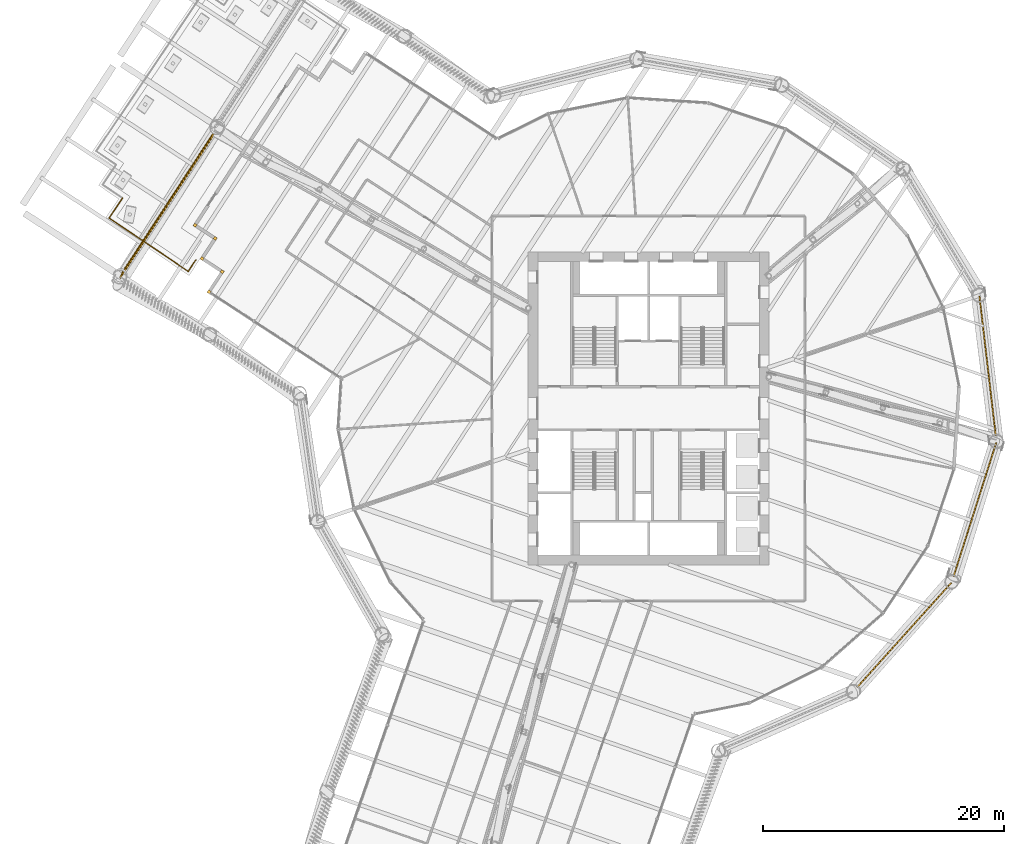
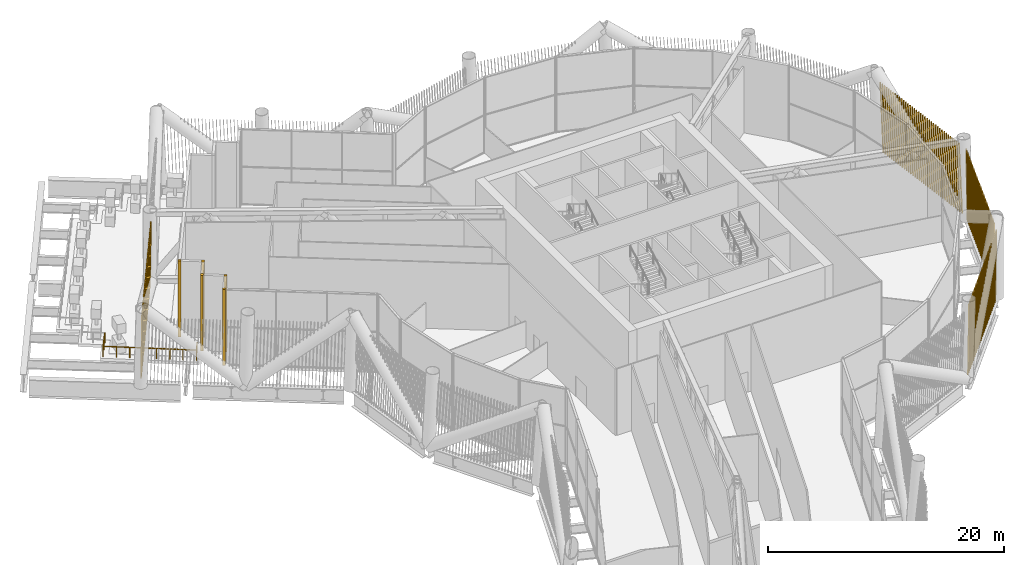
# One storey, part 59 of 63: 9 shading devices, 1 railing.
"""IFC4 building model written with IfcOpenShell, lengths in metres."""

from ifc_helpers import new_model, si_unit, direction, frame, frame_2d, origin, origin_2d, place, context, subcontext, project, spatial, rectangle, circle, composite_profile, extrude, material, type_object, element, save


model = new_model("IFC4")

# Units and contexts
model_context = context("Model", 3, precision=1e-05, world=origin(), true_north=direction((0.0, 1.0)))
body_context = subcontext(model_context, "Body", "Model", "MODEL_VIEW")
ifc_project = project(units=[si_unit("LENGTHUNIT", "METRE"), si_unit("AREAUNIT", "SQUARE_METRE"), si_unit("VOLUMEUNIT", "CUBIC_METRE"), si_unit("PLANEANGLEUNIT", "RADIAN"), si_unit("MASSUNIT", "GRAM", prefix="KILO")], contexts=[model_context])

# Site, building, storey
site_placement = place(None, origin())
site = spatial("IfcSite", under=ifc_project, at=site_placement, CompositionType="ELEMENT")
building_placement = place(site_placement, origin())
building = spatial("IfcBuilding", under=site, at=building_placement, Name="Tarsis Ring Headquarters", CompositionType="ELEMENT")
storey_placement = place(building_placement, frame((0.0, 0.0, 139.60009765625)))
storey = spatial("IfcBuildingStorey", under=building, at=storey_placement, Name="L32", CompositionType="ELEMENT", Elevation=139.60009765625)

# Railing
ifc_material_1 = material(Name="Stainless steel guard", Category="steel")
railing_type = type_object("IfcRailingType", Name="Guard rail with mesh infill 1100", PredefinedType="GUARDRAIL", material=ifc_material_1)
railing_placement = place(storey_placement, frame((-37.62451171875, 12.345703125, 0.0)))
element("IfcRailing", 1, at=railing_placement, inside=storey, type_object=railing_type, Name="Terrace guard L32-1.2", PredefinedType="GUARDRAIL", context=body_context, shape_type="SweptSolid", body=[
    extrude(circle(Radius=0.030029296875, at=origin_2d()), frame((0.0, 0.0, 1.070068359375), z_axis=(-0.546976212309, -0.837148148877, 0.0), x_axis=(0.837148148877, -0.546976212309, 0.0)), (0.0, 0.0, 1.0), 1.156005859375),
    extrude(circle(Radius=0.030029296875, at=origin_2d()), frame((-0.63232421875, -0.9677734375, 1.070068359375), z_axis=(-0.828453910342, 0.560057245681, 0.0), x_axis=(-0.560057245681, -0.828453910342, 0.0)), (0.0, 0.0, 1.0), 7.933837890625),
    extrude(circle(Radius=0.030029296875, at=origin_2d()), frame((-7.205078125, 3.4755859375, 1.070068359375), z_axis=(0.560040864527, 0.828464984208, 0.0), x_axis=(-0.828464984208, 0.560040864527, 0.0)), (0.0, 0.0, 1.0), 2.0),
    extrude(circle(Radius=0.02490234375, at=origin_2d()), origin(), (0.0, 0.0, 1.0), 1.0400390625),
    extrude(circle(Radius=0.02490234375, at=origin_2d()), frame((-0.63232421875, -0.9677734375, 0.0)), (0.0, 0.0, 1.0), 1.0400390625),
    extrude(circle(Radius=0.02490234375, at=origin_2d()), frame((-1.5712890625, -0.3330078125, 0.0)), (0.0, 0.0, 1.0), 1.0400390625),
    extrude(circle(Radius=0.02490234375, at=origin_2d()), frame((-2.51025390625, 0.3017578125, 0.0)), (0.0, 0.0, 1.0), 1.0400390625),
    extrude(circle(Radius=0.02490234375, at=origin_2d()), frame((-3.44921875, 0.9365234375, 0.0)), (0.0, 0.0, 1.0), 1.0400390625),
    extrude(circle(Radius=0.02490234375, at=origin_2d()), frame((-4.38818359375, 1.5712890625, 0.0)), (0.0, 0.0, 1.0), 1.0400390625),
    extrude(circle(Radius=0.02490234375, at=origin_2d()), frame((-5.3271484375, 2.2060546875, 0.0)), (0.0, 0.0, 1.0), 1.0400390625),
    extrude(circle(Radius=0.02490234375, at=origin_2d()), frame((-6.26611328125, 2.8408203125, 0.0)), (0.0, 0.0, 1.0), 1.0400390625),
    extrude(circle(Radius=0.02490234375, at=origin_2d()), frame((-7.205078125, 3.4755859375, 0.0)), (0.0, 0.0, 1.0), 1.0400390625),
    extrude(circle(Radius=0.02490234375, at=origin_2d()), frame((-6.64501953125, 4.30419921875, 0.0)), (0.0, 0.0, 1.0), 1.0400390625),
    extrude(circle(Radius=0.02490234375, at=origin_2d()), frame((-6.0849609375, 5.132568359375, 0.0)), (0.0, 0.0, 1.0), 1.0400390625),
])

# Shading devices
ifc_material_2 = material(Name="Terracotta baguette", Category="masonry")
shading_device_type_1 = type_object("IfcShadingDeviceType", Name="Terracotta baguette screen", PredefinedType="USERDEFINED", material=ifc_material_2)
shading_device_1_placement = place(storey_placement, frame((17.33203125, -23.18505859375, 0.0), z_axis=(0.0, 0.0, 1.0), x_axis=(0.669343461747, 0.742962561042, 0.0)))
element("IfcShadingDevice", 2, at=shading_device_1_placement, inside=storey, type_object=shading_device_type_1, Name="Baguette screen L32-08", ObjectType="Terracotta baguette screen", PredefinedType="USERDEFINED", context=body_context, shape_type="SweptSolid", body=[
    extrude(composite_profile([rectangle(XDim=0.06005859375, YDim=0.1201171875, at=frame_2d((0.030029296875, 0.0))), rectangle(XDim=0.06005859375, YDim=0.1201171875, at=frame_2d((0.33251953125, 0.0))), rectangle(XDim=0.06005859375, YDim=0.1201171875, at=frame_2d((0.634765625, 0.0))), rectangle(XDim=0.06005859375, YDim=0.1201171875, at=frame_2d((0.937255859375, 0.0))), rectangle(XDim=0.06005859375, YDim=0.1201171875, at=frame_2d((1.239501953125, 0.0))), rectangle(XDim=0.06005859375, YDim=0.1201171875, at=frame_2d((1.5419921875, 0.0))), rectangle(XDim=0.06005859375, YDim=0.1201171875, at=frame_2d((1.844482421875, 0.0))), rectangle(XDim=0.06005859375, YDim=0.1201171875, at=frame_2d((2.146728515625, 0.0))), rectangle(XDim=0.06005859375, YDim=0.1201171875, at=frame_2d((2.44921875, 0.0))), rectangle(XDim=0.06005859375, YDim=0.1201171875, at=frame_2d((2.751708984375, 0.0))), rectangle(XDim=0.06005859375, YDim=0.1201171875, at=frame_2d((3.053955078125, 0.0))), rectangle(XDim=0.06005859375, YDim=0.1201171875, at=frame_2d((3.3564453125, 0.0))), rectangle(XDim=0.06005859375, YDim=0.1201171875, at=frame_2d((3.65869140625, 0.0))), rectangle(XDim=0.06005859375, YDim=0.1201171875, at=frame_2d((3.961181640625, 0.0))), rectangle(XDim=0.06005859375, YDim=0.1201171875, at=frame_2d((4.263671875, 0.0))), rectangle(XDim=0.06005859375, YDim=0.1201171875, at=frame_2d((4.56591796875, 0.0))), rectangle(XDim=0.06005859375, YDim=0.1201171875, at=frame_2d((4.868408203125, 0.0))), rectangle(XDim=0.06005859375, YDim=0.1201171875, at=frame_2d((5.1708984375, 0.0))), rectangle(XDim=0.06005859375, YDim=0.1201171875, at=frame_2d((5.47314453125, 0.0))), rectangle(XDim=0.06005859375, YDim=0.1201171875, at=frame_2d((5.775634765625, 0.0))), rectangle(XDim=0.06005859375, YDim=0.1201171875, at=frame_2d((6.077880859375, 0.0))), rectangle(XDim=0.06005859375, YDim=0.1201171875, at=frame_2d((6.38037109375, 0.0))), rectangle(XDim=0.06005859375, YDim=0.1201171875, at=frame_2d((6.682861328125, 0.0))), rectangle(XDim=0.06005859375, YDim=0.1201171875, at=frame_2d((6.985107421875, 0.0))), rectangle(XDim=0.06005859375, YDim=0.1201171875, at=frame_2d((7.28759765625, 0.0))), rectangle(XDim=0.06005859375, YDim=0.1201171875, at=frame_2d((7.590087890625, 0.0))), rectangle(XDim=0.06005859375, YDim=0.1201171875, at=frame_2d((7.892333984375, 0.0))), rectangle(XDim=0.06005859375, YDim=0.1201171875, at=frame_2d((8.19482421875, 0.0))), rectangle(XDim=0.06005859375, YDim=0.1201171875, at=frame_2d((8.4970703125, 0.0))), rectangle(XDim=0.06005859375, YDim=0.1201171875, at=frame_2d((8.799560546875, 0.0))), rectangle(XDim=0.06005859375, YDim=0.1201171875, at=frame_2d((9.10205078125, 0.0))), rectangle(XDim=0.06005859375, YDim=0.1201171875, at=frame_2d((9.404296875, 0.0))), rectangle(XDim=0.06005859375, YDim=0.1201171875, at=frame_2d((9.706787109375, 0.0))), rectangle(XDim=0.06005859375, YDim=0.1201171875, at=frame_2d((10.00927734375, 0.0))), rectangle(XDim=0.06005859375, YDim=0.1201171875, at=frame_2d((10.3115234375, 0.0))), rectangle(XDim=0.06005859375, YDim=0.1201171875, at=frame_2d((10.614013671875, 0.0))), rectangle(XDim=0.06005859375, YDim=0.1201171875, at=frame_2d((10.916259765625, 0.0))), rectangle(XDim=0.06005859375, YDim=0.1201171875, at=frame_2d((11.21875, 0.0)))]), origin(), (0.063140938452, 0.000495654505, 0.998004497093), 7.06396484375),
])
shading_device_2_placement = place(storey_placement, frame((25.34765625, -13.979736328125, 0.0), z_axis=(0.0, 0.0, 1.0), x_axis=(0.303607083948, 0.952795381544, 0.0)))
element("IfcShadingDevice", 3, at=shading_device_2_placement, inside=storey, type_object=shading_device_type_1, Name="Baguette screen L32-09", ObjectType="Terracotta baguette screen", PredefinedType="USERDEFINED", context=body_context, shape_type="SweptSolid", body=[
    extrude(composite_profile([rectangle(XDim=0.06005859375, YDim=0.1201171875, at=frame_2d((0.030029296875, 0.0))), rectangle(XDim=0.06005859375, YDim=0.1201171875, at=frame_2d((0.33251953125, 0.0))), rectangle(XDim=0.06005859375, YDim=0.1201171875, at=frame_2d((0.634765625, 0.0))), rectangle(XDim=0.06005859375, YDim=0.1201171875, at=frame_2d((0.937255859375, 0.0))), rectangle(XDim=0.06005859375, YDim=0.1201171875, at=frame_2d((1.239501953125, 0.0))), rectangle(XDim=0.06005859375, YDim=0.1201171875, at=frame_2d((1.5419921875, 0.0))), rectangle(XDim=0.06005859375, YDim=0.1201171875, at=frame_2d((1.844482421875, 0.0))), rectangle(XDim=0.06005859375, YDim=0.1201171875, at=frame_2d((2.146728515625, 0.0))), rectangle(XDim=0.06005859375, YDim=0.1201171875, at=frame_2d((2.44921875, 0.0))), rectangle(XDim=0.06005859375, YDim=0.1201171875, at=frame_2d((2.751708984375, 0.0))), rectangle(XDim=0.06005859375, YDim=0.1201171875, at=frame_2d((3.053955078125, 0.0))), rectangle(XDim=0.06005859375, YDim=0.1201171875, at=frame_2d((3.3564453125, 0.0))), rectangle(XDim=0.06005859375, YDim=0.1201171875, at=frame_2d((3.65869140625, 0.0))), rectangle(XDim=0.06005859375, YDim=0.1201171875, at=frame_2d((3.961181640625, 0.0))), rectangle(XDim=0.06005859375, YDim=0.1201171875, at=frame_2d((4.263671875, 0.0))), rectangle(XDim=0.06005859375, YDim=0.1201171875, at=frame_2d((4.56591796875, 0.0))), rectangle(XDim=0.06005859375, YDim=0.1201171875, at=frame_2d((4.868408203125, 0.0))), rectangle(XDim=0.06005859375, YDim=0.1201171875, at=frame_2d((5.1708984375, 0.0))), rectangle(XDim=0.06005859375, YDim=0.1201171875, at=frame_2d((5.47314453125, 0.0))), rectangle(XDim=0.06005859375, YDim=0.1201171875, at=frame_2d((5.775634765625, 0.0))), rectangle(XDim=0.06005859375, YDim=0.1201171875, at=frame_2d((6.077880859375, 0.0))), rectangle(XDim=0.06005859375, YDim=0.1201171875, at=frame_2d((6.38037109375, 0.0))), rectangle(XDim=0.06005859375, YDim=0.1201171875, at=frame_2d((6.682861328125, 0.0))), rectangle(XDim=0.06005859375, YDim=0.1201171875, at=frame_2d((6.985107421875, 0.0))), rectangle(XDim=0.06005859375, YDim=0.1201171875, at=frame_2d((7.28759765625, 0.0))), rectangle(XDim=0.06005859375, YDim=0.1201171875, at=frame_2d((7.590087890625, 0.0))), rectangle(XDim=0.06005859375, YDim=0.1201171875, at=frame_2d((7.892333984375, 0.0))), rectangle(XDim=0.06005859375, YDim=0.1201171875, at=frame_2d((8.19482421875, 0.0))), rectangle(XDim=0.06005859375, YDim=0.1201171875, at=frame_2d((8.4970703125, 0.0))), rectangle(XDim=0.06005859375, YDim=0.1201171875, at=frame_2d((8.799560546875, 0.0))), rectangle(XDim=0.06005859375, YDim=0.1201171875, at=frame_2d((9.10205078125, 0.0))), rectangle(XDim=0.06005859375, YDim=0.1201171875, at=frame_2d((9.404296875, 0.0))), rectangle(XDim=0.06005859375, YDim=0.1201171875, at=frame_2d((9.706787109375, 0.0))), rectangle(XDim=0.06005859375, YDim=0.1201171875, at=frame_2d((10.00927734375, 0.0))), rectangle(XDim=0.06005859375, YDim=0.1201171875, at=frame_2d((10.3115234375, 0.0))), rectangle(XDim=0.06005859375, YDim=0.1201171875, at=frame_2d((10.614013671875, 0.0))), rectangle(XDim=0.06005859375, YDim=0.1201171875, at=frame_2d((10.916259765625, 0.0))), rectangle(XDim=0.06005859375, YDim=0.1201171875, at=frame_2d((11.21875, 0.0)))]), origin(), (0.063140387177, 0.000496628506, 0.998004531486), 7.06396484375),
])
shading_device_3_placement = place(storey_placement, frame((28.856689453125, -2.288818359375, 0.0), z_axis=(0.0, 0.0, 1.0), x_axis=(-0.116134213039, 0.99322857887, 0.0)))
element("IfcShadingDevice", 4, at=shading_device_3_placement, inside=storey, type_object=shading_device_type_1, Name="Baguette screen L32-10", ObjectType="Terracotta baguette screen", PredefinedType="USERDEFINED", context=body_context, shape_type="SweptSolid", body=[
    extrude(composite_profile([rectangle(XDim=0.06005859375, YDim=0.1201171875, at=frame_2d((0.030029296875, 0.0))), rectangle(XDim=0.06005859375, YDim=0.1201171875, at=frame_2d((0.33251953125, 0.0))), rectangle(XDim=0.06005859375, YDim=0.1201171875, at=frame_2d((0.634765625, 0.0))), rectangle(XDim=0.06005859375, YDim=0.1201171875, at=frame_2d((0.937255859375, 0.0))), rectangle(XDim=0.06005859375, YDim=0.1201171875, at=frame_2d((1.239501953125, 0.0))), rectangle(XDim=0.06005859375, YDim=0.1201171875, at=frame_2d((1.5419921875, 0.0))), rectangle(XDim=0.06005859375, YDim=0.1201171875, at=frame_2d((1.844482421875, 0.0))), rectangle(XDim=0.06005859375, YDim=0.1201171875, at=frame_2d((2.146728515625, 0.0))), rectangle(XDim=0.06005859375, YDim=0.1201171875, at=frame_2d((2.44921875, 0.0))), rectangle(XDim=0.06005859375, YDim=0.1201171875, at=frame_2d((2.751708984375, 0.0))), rectangle(XDim=0.06005859375, YDim=0.1201171875, at=frame_2d((3.053955078125, 0.0))), rectangle(XDim=0.06005859375, YDim=0.1201171875, at=frame_2d((3.3564453125, 0.0))), rectangle(XDim=0.06005859375, YDim=0.1201171875, at=frame_2d((3.65869140625, 0.0))), rectangle(XDim=0.06005859375, YDim=0.1201171875, at=frame_2d((3.961181640625, 0.0))), rectangle(XDim=0.06005859375, YDim=0.1201171875, at=frame_2d((4.263671875, 0.0))), rectangle(XDim=0.06005859375, YDim=0.1201171875, at=frame_2d((4.56591796875, 0.0))), rectangle(XDim=0.06005859375, YDim=0.1201171875, at=frame_2d((4.868408203125, 0.0))), rectangle(XDim=0.06005859375, YDim=0.1201171875, at=frame_2d((5.1708984375, 0.0))), rectangle(XDim=0.06005859375, YDim=0.1201171875, at=frame_2d((5.47314453125, 0.0))), rectangle(XDim=0.06005859375, YDim=0.1201171875, at=frame_2d((5.775634765625, 0.0))), rectangle(XDim=0.06005859375, YDim=0.1201171875, at=frame_2d((6.077880859375, 0.0))), rectangle(XDim=0.06005859375, YDim=0.1201171875, at=frame_2d((6.38037109375, 0.0))), rectangle(XDim=0.06005859375, YDim=0.1201171875, at=frame_2d((6.682861328125, 0.0))), rectangle(XDim=0.06005859375, YDim=0.1201171875, at=frame_2d((6.985107421875, 0.0))), rectangle(XDim=0.06005859375, YDim=0.1201171875, at=frame_2d((7.28759765625, 0.0))), rectangle(XDim=0.06005859375, YDim=0.1201171875, at=frame_2d((7.590087890625, 0.0))), rectangle(XDim=0.06005859375, YDim=0.1201171875, at=frame_2d((7.892333984375, 0.0))), rectangle(XDim=0.06005859375, YDim=0.1201171875, at=frame_2d((8.19482421875, 0.0))), rectangle(XDim=0.06005859375, YDim=0.1201171875, at=frame_2d((8.4970703125, 0.0))), rectangle(XDim=0.06005859375, YDim=0.1201171875, at=frame_2d((8.799560546875, 0.0))), rectangle(XDim=0.06005859375, YDim=0.1201171875, at=frame_2d((9.10205078125, 0.0))), rectangle(XDim=0.06005859375, YDim=0.1201171875, at=frame_2d((9.404296875, 0.0))), rectangle(XDim=0.06005859375, YDim=0.1201171875, at=frame_2d((9.706787109375, 0.0))), rectangle(XDim=0.06005859375, YDim=0.1201171875, at=frame_2d((10.00927734375, 0.0))), rectangle(XDim=0.06005859375, YDim=0.1201171875, at=frame_2d((10.3115234375, 0.0))), rectangle(XDim=0.06005859375, YDim=0.1201171875, at=frame_2d((10.614013671875, 0.0))), rectangle(XDim=0.06005859375, YDim=0.1201171875, at=frame_2d((10.916259765625, 0.0))), rectangle(XDim=0.06005859375, YDim=0.1201171875, at=frame_2d((11.21875, 0.0)))]), origin(), (0.063140234518, 0.00049553414, 0.998004541689), 7.06396484375),
])
shading_device_4_placement = place(storey_placement, frame((-36.103271484375, 22.9921875, 0.0), z_axis=(0.0, 0.0, 1.0), x_axis=(-0.546979212738, -0.837151702786, 0.0)))
element("IfcShadingDevice", 5, at=shading_device_4_placement, inside=storey, type_object=shading_device_type_1, Name="Baguette screen L32-18", ObjectType="Terracotta baguette screen", PredefinedType="USERDEFINED", context=body_context, shape_type="SweptSolid", body=[
    extrude(composite_profile([rectangle(XDim=0.06005859375, YDim=0.1201171875, at=frame_2d((0.030029296875, 0.0))), rectangle(XDim=0.06005859375, YDim=0.1201171875, at=frame_2d((0.33544921875, 0.0))), rectangle(XDim=0.06005859375, YDim=0.1201171875, at=frame_2d((0.640625, 0.0))), rectangle(XDim=0.06005859375, YDim=0.1201171875, at=frame_2d((0.946044921875, 0.0))), rectangle(XDim=0.06005859375, YDim=0.1201171875, at=frame_2d((1.25146484375, 0.0))), rectangle(XDim=0.06005859375, YDim=0.1201171875, at=frame_2d((1.556640625, 0.0))), rectangle(XDim=0.06005859375, YDim=0.1201171875, at=frame_2d((1.862060546875, 0.0))), rectangle(XDim=0.06005859375, YDim=0.1201171875, at=frame_2d((2.16748046875, 0.0))), rectangle(XDim=0.06005859375, YDim=0.1201171875, at=frame_2d((2.47265625, 0.0))), rectangle(XDim=0.06005859375, YDim=0.1201171875, at=frame_2d((2.778076171875, 0.0))), rectangle(XDim=0.06005859375, YDim=0.1201171875, at=frame_2d((3.08349609375, 0.0))), rectangle(XDim=0.06005859375, YDim=0.1201171875, at=frame_2d((3.388671875, 0.0))), rectangle(XDim=0.06005859375, YDim=0.1201171875, at=frame_2d((3.694091796875, 0.0))), rectangle(XDim=0.06005859375, YDim=0.1201171875, at=frame_2d((3.99951171875, 0.0))), rectangle(XDim=0.06005859375, YDim=0.1201171875, at=frame_2d((4.3046875, 0.0))), rectangle(XDim=0.06005859375, YDim=0.1201171875, at=frame_2d((4.610107421875, 0.0))), rectangle(XDim=0.06005859375, YDim=0.1201171875, at=frame_2d((4.91552734375, 0.0))), rectangle(XDim=0.06005859375, YDim=0.1201171875, at=frame_2d((5.220703125, 0.0))), rectangle(XDim=0.06005859375, YDim=0.1201171875, at=frame_2d((5.526123046875, 0.0))), rectangle(XDim=0.06005859375, YDim=0.1201171875, at=frame_2d((5.83154296875, 0.0))), rectangle(XDim=0.06005859375, YDim=0.1201171875, at=frame_2d((6.13671875, 0.0))), rectangle(XDim=0.06005859375, YDim=0.1201171875, at=frame_2d((6.442138671875, 0.0))), rectangle(XDim=0.06005859375, YDim=0.1201171875, at=frame_2d((6.74755859375, 0.0))), rectangle(XDim=0.06005859375, YDim=0.1201171875, at=frame_2d((7.052734375, 0.0))), rectangle(XDim=0.06005859375, YDim=0.1201171875, at=frame_2d((7.358154296875, 0.0))), rectangle(XDim=0.06005859375, YDim=0.1201171875, at=frame_2d((7.66357421875, 0.0))), rectangle(XDim=0.06005859375, YDim=0.1201171875, at=frame_2d((7.96875, 0.0))), rectangle(XDim=0.06005859375, YDim=0.1201171875, at=frame_2d((8.274169921875, 0.0))), rectangle(XDim=0.06005859375, YDim=0.1201171875, at=frame_2d((8.57958984375, 0.0))), rectangle(XDim=0.06005859375, YDim=0.1201171875, at=frame_2d((8.884765625, 0.0))), rectangle(XDim=0.06005859375, YDim=0.1201171875, at=frame_2d((9.190185546875, 0.0))), rectangle(XDim=0.06005859375, YDim=0.1201171875, at=frame_2d((9.49560546875, 0.0))), rectangle(XDim=0.06005859375, YDim=0.1201171875, at=frame_2d((9.80078125, 0.0))), rectangle(XDim=0.06005859375, YDim=0.1201171875, at=frame_2d((10.106201171875, 0.0))), rectangle(XDim=0.06005859375, YDim=0.1201171875, at=frame_2d((10.41162109375, 0.0))), rectangle(XDim=0.06005859375, YDim=0.1201171875, at=frame_2d((10.716796875, 0.0))), rectangle(XDim=0.06005859375, YDim=0.1201171875, at=frame_2d((11.022216796875, 0.0))), rectangle(XDim=0.06005859375, YDim=0.1201171875, at=frame_2d((11.32763671875, 0.0))), rectangle(XDim=0.06005859375, YDim=0.1201171875, at=frame_2d((11.6328125, 0.0))), rectangle(XDim=0.06005859375, YDim=0.1201171875, at=frame_2d((11.938232421875, 0.0))), rectangle(XDim=0.06005859375, YDim=0.1201171875, at=frame_2d((12.24365234375, 0.0))), rectangle(XDim=0.06005859375, YDim=0.1201171875, at=frame_2d((12.548828125, 0.0))), rectangle(XDim=0.06005859375, YDim=0.1201171875, at=frame_2d((12.854248046875, 0.0))), rectangle(XDim=0.06005859375, YDim=0.1201171875, at=frame_2d((13.15966796875, 0.0))), rectangle(XDim=0.06005859375, YDim=0.1201171875, at=frame_2d((13.46484375, 0.0))), rectangle(XDim=0.06005859375, YDim=0.1201171875, at=frame_2d((13.770263671875, 0.0)))]), origin(), (0.094788738994, 0.017156209594, 0.99534956645), 7.082763671875),
])
shading_device_type_2 = type_object("IfcShadingDeviceType", Name="Terracotta corner baguette 250x250", PredefinedType="USERDEFINED", material=ifc_material_2)
for number, where, z_axis, x_axis, name in (
    (6, (-36.528076171875, 9.681640625, 0.0), (0.0, 0.0, 1.0), (-0.546978567746, -0.837146609876, 0.0), "Corner baguette L32-01"),
    (7, (-37.688720703125, 15.21826171875, 0.0), (0.0, 0.0, 1.0), (-0.546978859965, -0.837146418944, 0.0), "Corner baguette L32-37"),
    (8, (-36.014404296875, 14.124267578125, 0.0), (0.0, 0.0, 1.0), (0.837146457131, -0.546978801521, 0.0), "Corner baguette L32-38"),
    (9, (-37.1083984375, 12.449951171875, 0.0), (0.0, 0.0, 1.0), (-0.546978918409, -0.837146380758, 0.0), "Corner baguette L32-39"),
    (10, (-35.43408203125, 11.35595703125, 0.0), (0.0, 0.0, 1.0), (0.837146380758, -0.546978918409, 0.0), "Corner baguette L32-40"),
):
    element("IfcShadingDevice", number, at=place(storey_placement, frame(where, z_axis=z_axis, x_axis=x_axis)), inside=storey, type_object=shading_device_type_2, Name=name, ObjectType="Terracotta corner baguette", PredefinedType="USERDEFINED", context=body_context, shape_type="SweptSolid", body=[
        extrude(rectangle(XDim=0.25, YDim=0.25, at=origin_2d()), origin(), (0.0, 0.0, 1.0), 7.840087890625),
    ])

save(model, "model.ifc")
